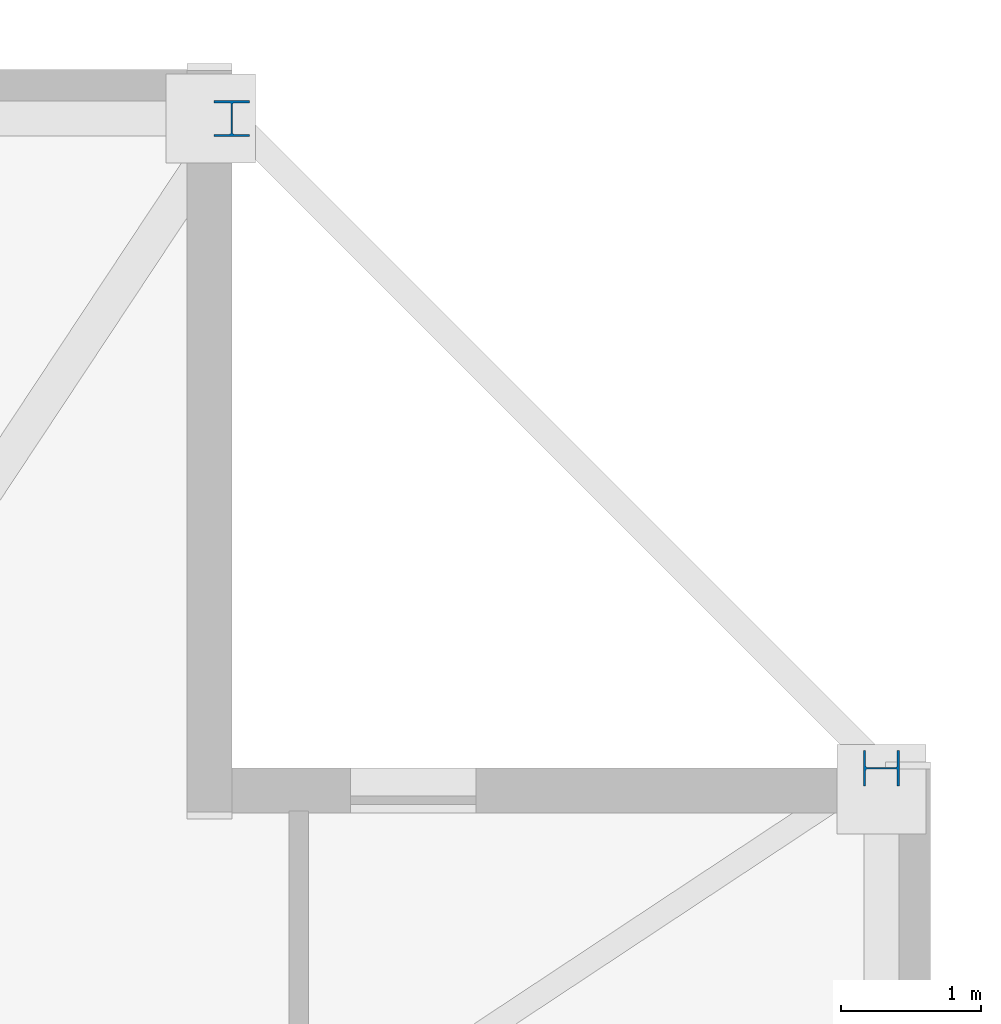
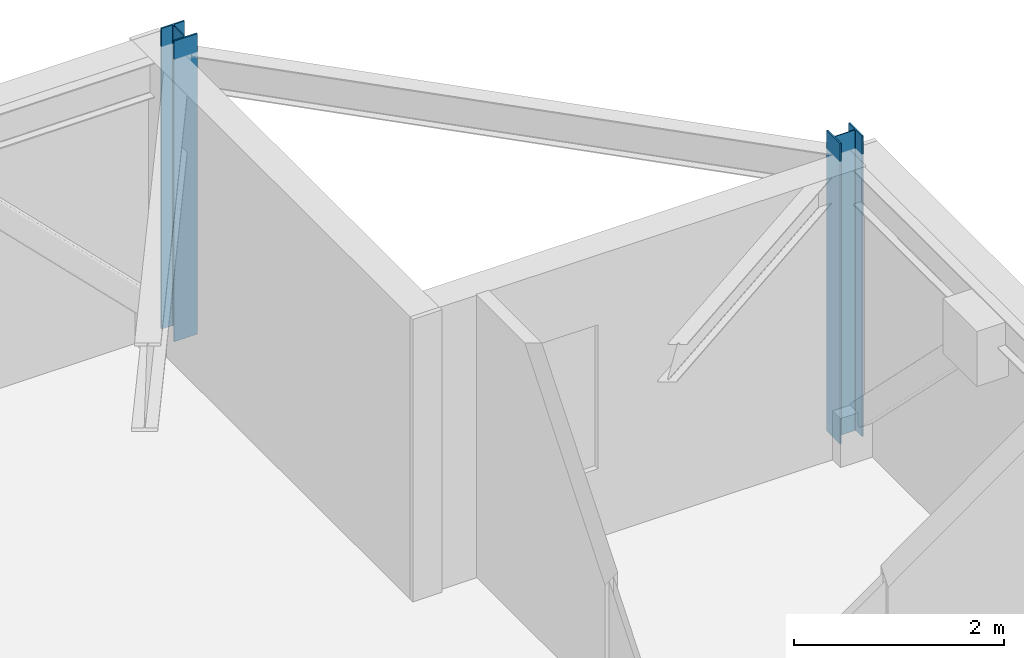
# One storey, part 5 of 17: 2 columns.
"""IFC4 building model written with IfcOpenShell, lengths in metres."""

from ifc_helpers import new_model, si_unit, direction, frame, origin, origin_2d, place, context, subcontext, project, spatial, i_section, extrude, material, material_profile, profile_set, type_object, element, save


model = new_model("IFC4")

# Units and contexts
model_context = context("Model", 3, precision=1e-05, world=origin(), true_north=direction((0.0, 1.0)))
body_context = subcontext(model_context, "Body", "Model", "MODEL_VIEW")
ifc_project = project(units=[si_unit("LENGTHUNIT", "METRE"), si_unit("AREAUNIT", "SQUARE_METRE"), si_unit("VOLUMEUNIT", "CUBIC_METRE"), si_unit("PLANEANGLEUNIT", "RADIAN"), si_unit("MASSUNIT", "GRAM", prefix="KILO")], contexts=[model_context])

# Site, building, storey
site_placement = place(None, origin())
site = spatial("IfcSite", under=ifc_project, at=site_placement, CompositionType="ELEMENT")
building_placement = place(site_placement, origin())
building = spatial("IfcBuilding", under=site, at=building_placement, Name="Cairnveth Concourse Tower", CompositionType="ELEMENT")
storey_placement = place(building_placement, frame((0.0, 0.0, 230.5)))
storey = spatial("IfcBuildingStorey", under=building, at=storey_placement, Name="L63", CompositionType="ELEMENT", Elevation=230.5)

# Columns
ifc_material = material(Name="Steel Grade 350", Category="steel")
ifc_material_profile = material_profile(ifc_material, i_section(OverallWidth=0.256103515625, OverallDepth=0.260009765625, WebThickness=0.010498046875, FlangeThickness=0.017333984375, FilletRadius=0.012939453125, at=origin_2d()), Name="250UC89.5")
ifc_profile_set = profile_set([ifc_material_profile], Name="Steel Grade 350")
column_type = type_object("IfcColumnType", Name="UNIVERSAL STEEL COLUMN 250UC89.5", PredefinedType="COLUMN", material=ifc_profile_set)
for number, where, z_axis, x_axis, name in (
    (1, (74.14990234375, 56.5, 0.0), (0.0, 0.0, 1.0), (0.0, 1.0, 0.0), "Column P-E4 L63"),
    (2, (69.5, 61.14990234375, 0.0), (0.0, 0.0, 1.0), (1.0, 0.0, 0.0), "Column P-N1 L63"),
):
    element("IfcColumn", number, at=place(storey_placement, frame(where, z_axis=z_axis, x_axis=x_axis)), inside=storey, type_object=column_type, Name=name, PredefinedType="COLUMN", context=body_context, shape_type="SweptSolid", body=[
        extrude(i_section(OverallWidth=0.256103515625, OverallDepth=0.260009765625, WebThickness=0.010498046875, FlangeThickness=0.017333984375, FilletRadius=0.012939453125, at=origin_2d()), origin(), (0.0, 0.0, 1.0), 3.5),
    ])

save(model, "model.ifc")
